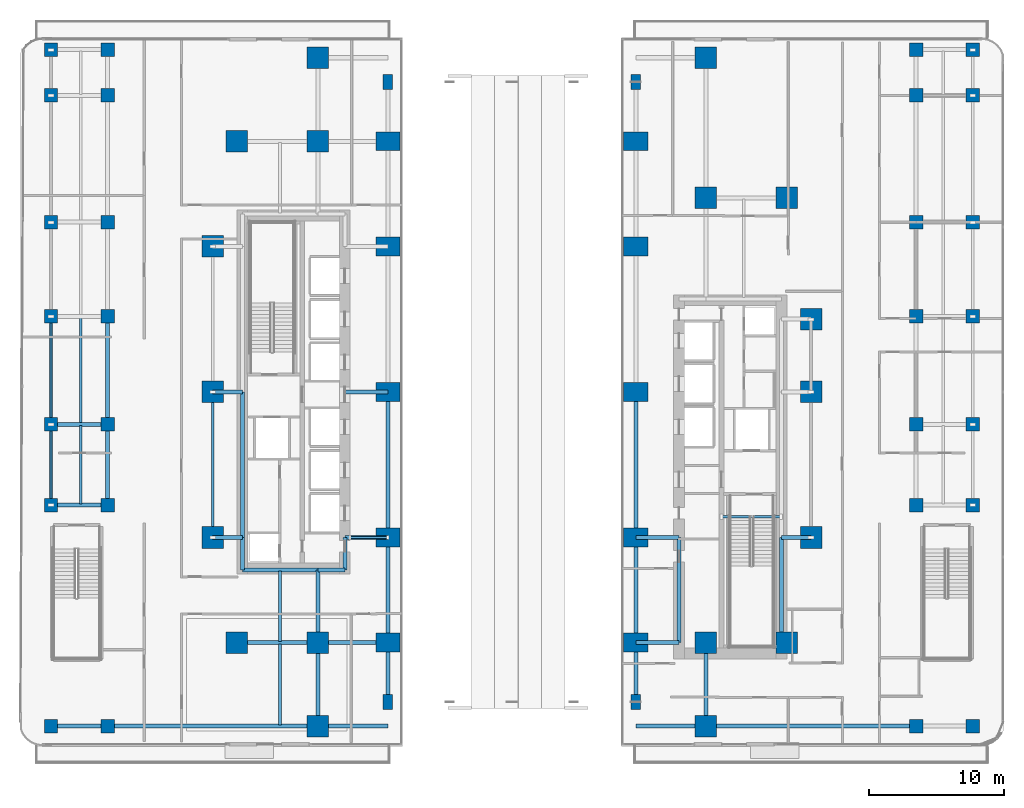
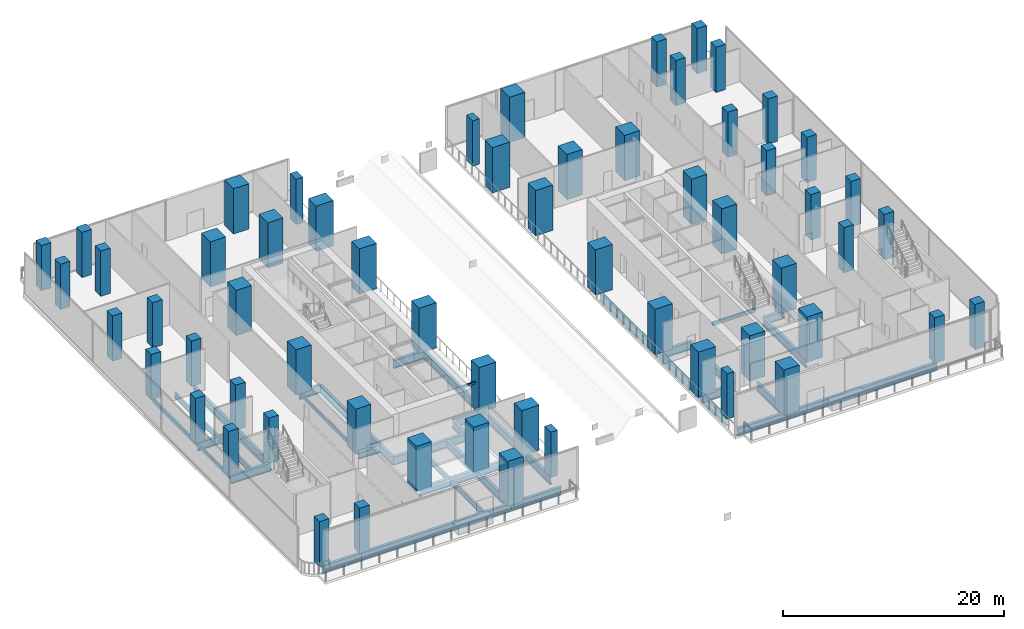
# One storey, part 1 of 32: 60 columns, 43 beams.
"""IFC4 building model written with IfcOpenShell, lengths in metres."""

from ifc_helpers import new_model, si_unit, direction, frame, origin, origin_2d, place, context, subcontext, project, spatial, rectangle, hollow_rectangle, i_section, extrude, material, material_profile, profile_set, type_object, element, save


model = new_model("IFC4")

# Units and contexts
model_context = context("Model", 3, precision=1e-05, world=origin(), true_north=direction((0.0, 1.0)))
body_context = subcontext(model_context, "Body", "Model", "MODEL_VIEW")
ifc_project = project(units=[si_unit("LENGTHUNIT", "METRE"), si_unit("AREAUNIT", "SQUARE_METRE"), si_unit("VOLUMEUNIT", "CUBIC_METRE"), si_unit("PLANEANGLEUNIT", "RADIAN"), si_unit("MASSUNIT", "GRAM", prefix="KILO")], contexts=[model_context])

# Site, building, storey
site_placement = place(None, origin())
site = spatial("IfcSite", under=ifc_project, at=site_placement, CompositionType="ELEMENT")
building_placement = place(site_placement, origin())
building = spatial("IfcBuilding", under=site, at=building_placement, Name="Khairoan Windgate Tower", CompositionType="ELEMENT")
storey_placement = place(building_placement, frame((0.0, 0.0, 16.0)))
storey = spatial("IfcBuildingStorey", under=building, at=storey_placement, Name="L04", CompositionType="ELEMENT", Elevation=16.0)

# Columns
ifc_material_1 = material(Name="Concrete C60/75", Category="concrete")
ifc_material_profile_1 = material_profile(ifc_material_1, rectangle(XDim=0.699951171875, YDim=1.10009765625, at=origin_2d()))
ifc_profile_set_1 = profile_set([ifc_material_profile_1], Name="Concrete C60/75")
column_type_1 = type_object("IfcColumnType", Name="Arch Pilaster CP1 RC700x1100", PredefinedType="PILASTER", material=ifc_profile_set_1)
for number, where, z_axis, x_axis, name in (
    (1, (-9.199951171875, -23.0, 0.0), (0.0, 0.0, 1.0), (1.0, 0.0, 0.0), "Inner Arch Pier Pilaster L04-01"),
    (2, (-9.199951171875, 23.0, 0.0), (0.0, 0.0, 1.0), (1.0, 0.0, 0.0), "Inner Arch Pier Pilaster L04-02"),
    (3, (9.199951171875, -23.0, 0.0), (0.0, 0.0, 1.0), (1.0, 0.0, 0.0), "Inner Arch Pier Pilaster L04-03"),
    (4, (9.199951171875, 23.0, 0.0), (0.0, 0.0, 1.0), (1.0, 0.0, 0.0), "Inner Arch Pier Pilaster L04-04"),
):
    element("IfcColumn", number, at=place(storey_placement, frame(where, z_axis=z_axis, x_axis=x_axis)), inside=storey, type_object=column_type_1, Name=name, PredefinedType="PILASTER", context=body_context, shape_type="SweptSolid", body=[
        extrude(rectangle(XDim=0.699951171875, YDim=1.10009765625, at=origin_2d()), origin(), (0.0, 0.0, 1.0), 5.0),
    ])
ifc_material_2 = material(Name="Concrete C70/85", Category="concrete")
ifc_material_profile_2 = material_profile(ifc_material_2, rectangle(XDim=1.800048828125, YDim=1.39990234375, at=origin_2d()))
ifc_profile_set_2 = profile_set([ifc_material_profile_2], Name="Concrete C70/85")
column_type_2 = type_object("IfcColumnType", Name="Column C-AP1 RC1800x1400", PredefinedType="COLUMN", material=ifc_profile_set_2)
for number, where, z_axis, x_axis, name in (
    (5, (-9.199951171875, -18.60009765625, 0.0), (0.0, 0.0, 1.0), (1.0, 0.0, 0.0), "Column L04-01"),
    (6, (-9.199951171875, -10.800048828125, 0.0), (0.0, 0.0, 1.0), (1.0, 0.0, 0.0), "Column L04-02"),
    (7, (-9.199951171875, 0.0, 0.0), (0.0, 0.0, 1.0), (1.0, 0.0, 0.0), "Column L04-03"),
    (8, (-9.199951171875, 10.800048828125, 0.0), (0.0, 0.0, 1.0), (1.0, 0.0, 0.0), "Column L04-04"),
    (9, (-9.199951171875, 18.60009765625, 0.0), (0.0, 0.0, 1.0), (1.0, 0.0, 0.0), "Column L04-05"),
    (10, (9.199951171875, -18.60009765625, 0.0), (0.0, 0.0, 1.0), (1.0, 0.0, 0.0), "Column L04-06"),
    (11, (9.199951171875, -10.800048828125, 0.0), (0.0, 0.0, 1.0), (1.0, 0.0, 0.0), "Column L04-07"),
    (12, (9.199951171875, 0.0, 0.0), (0.0, 0.0, 1.0), (1.0, 0.0, 0.0), "Column L04-08"),
    (13, (9.199951171875, 10.800048828125, 0.0), (0.0, 0.0, 1.0), (1.0, 0.0, 0.0), "Column L04-09"),
    (14, (9.199951171875, 18.60009765625, 0.0), (0.0, 0.0, 1.0), (1.0, 0.0, 0.0), "Column L04-10"),
):
    element("IfcColumn", number, at=place(storey_placement, frame(where, z_axis=z_axis, x_axis=x_axis)), inside=storey, type_object=column_type_2, Name=name, PredefinedType="COLUMN", context=body_context, shape_type="SweptSolid", body=[
        extrude(rectangle(XDim=1.800048828125, YDim=1.39990234375, at=origin_2d()), origin(), (0.0, 0.0, 1.0), 5.0),
    ])
ifc_material_3 = material(Name="Concrete C70/85", Category="concrete")
ifc_material_profile_3 = material_profile(ifc_material_3, rectangle(XDim=1.60009765625, YDim=1.60009765625, at=origin_2d()))
ifc_profile_set_3 = profile_set([ifc_material_profile_3], Name="Concrete C70/85")
column_type_3 = type_object("IfcColumnType", Name="Column C-T1 RC1600x1600", PredefinedType="COLUMN", material=ifc_profile_set_3)
for number, where, z_axis, x_axis, name in (
    (15, (-20.39990234375, -18.60009765625, 0.0), (0.0, 0.0, 1.0), (1.0, 0.0, 0.0), "Column L04-11"),
    (16, (-20.39990234375, 18.60009765625, 0.0), (0.0, 0.0, 1.0), (1.0, 0.0, 0.0), "Column L04-12"),
    (17, (20.39990234375, -18.60009765625, 0.0), (0.0, 0.0, 1.0), (1.0, 0.0, 0.0), "Column L04-13"),
    (18, (20.39990234375, 14.39990234375, 0.0), (0.0, 0.0, 1.0), (1.0, 0.0, 0.0), "Column L04-14"),
    (19, (-14.39990234375, -18.60009765625, 0.0), (0.0, 0.0, 1.0), (1.0, 0.0, 0.0), "Column L04-15"),
    (20, (-14.39990234375, 18.60009765625, 0.0), (0.0, 0.0, 1.0), (1.0, 0.0, 0.0), "Column L04-16"),
    (21, (14.39990234375, -18.60009765625, 0.0), (0.0, 0.0, 1.0), (1.0, 0.0, 0.0), "Column L04-17"),
    (22, (14.39990234375, 14.39990234375, 0.0), (0.0, 0.0, 1.0), (1.0, 0.0, 0.0), "Column L04-18"),
    (23, (-22.199951171875, -10.800048828125, 0.0), (0.0, 0.0, 1.0), (1.0, 0.0, 0.0), "Column L04-57"),
    (24, (-22.199951171875, 0.0, 0.0), (0.0, 0.0, 1.0), (1.0, 0.0, 0.0), "Column L04-58"),
    (25, (-22.199951171875, 10.800048828125, 0.0), (0.0, 0.0, 1.0), (1.0, 0.0, 0.0), "Column L04-59"),
    (26, (22.199951171875, -10.800048828125, 0.0), (0.0, 0.0, 1.0), (1.0, 0.0, 0.0), "Column L04-60"),
    (27, (22.199951171875, 0.0, 0.0), (0.0, 0.0, 1.0), (1.0, 0.0, 0.0), "Column L04-61"),
    (28, (22.199951171875, 5.39990234375, 0.0), (0.0, 0.0, 1.0), (1.0, 0.0, 0.0), "Column L04-62"),
    (29, (-14.39990234375, -24.800048828125, 0.0), (0.0, 0.0, 1.0), (1.0, 0.0, 0.0), "Column L04-63"),
    (30, (-14.39990234375, 24.800048828125, 0.0), (0.0, 0.0, 1.0), (1.0, 0.0, 0.0), "Column L04-64"),
    (31, (14.39990234375, -24.800048828125, 0.0), (0.0, 0.0, 1.0), (1.0, 0.0, 0.0), "Column L04-65"),
    (32, (14.39990234375, 24.800048828125, 0.0), (0.0, 0.0, 1.0), (1.0, 0.0, 0.0), "Column L04-66"),
):
    element("IfcColumn", number, at=place(storey_placement, frame(where, z_axis=z_axis, x_axis=x_axis)), inside=storey, type_object=column_type_3, Name=name, PredefinedType="COLUMN", context=body_context, shape_type="SweptSolid", body=[
        extrude(rectangle(XDim=1.60009765625, YDim=1.60009765625, at=origin_2d()), origin(), (0.0, 0.0, 1.0), 5.0),
    ])
ifc_material_4 = material(Name="Concrete C50/60", Category="concrete")
ifc_material_profile_4 = material_profile(ifc_material_4, rectangle(XDim=1.0, YDim=1.0, at=origin_2d()))
ifc_profile_set_4 = profile_set([ifc_material_profile_4], Name="Concrete C50/60")
column_type_4 = type_object("IfcColumnType", Name="Column C-T4 RC1000x1000", PredefinedType="COLUMN", material=ifc_profile_set_4)
for number, where, z_axis, x_axis, name in (
    (33, (-34.199951171875, -24.800048828125, 0.0), (0.0, 0.0, 1.0), (1.0, 0.0, 0.0), "Column L04-25"),
    (34, (-34.199951171875, -8.39990234375, 0.0), (0.0, 0.0, 1.0), (1.0, 0.0, 0.0), "Column L04-27"),
    (35, (-34.199951171875, -2.39990234375, 0.0), (0.0, 0.0, 1.0), (1.0, 0.0, 0.0), "Column L04-28"),
    (36, (-34.199951171875, 5.60009765625, 0.0), (0.0, 0.0, 1.0), (1.0, 0.0, 0.0), "Column L04-29"),
    (37, (-34.199951171875, 12.60009765625, 0.0), (0.0, 0.0, 1.0), (1.0, 0.0, 0.0), "Column L04-30"),
    (38, (-34.199951171875, 22.0, 0.0), (0.0, 0.0, 1.0), (1.0, 0.0, 0.0), "Column L04-31"),
    (39, (-34.199951171875, 25.39990234375, 0.0), (0.0, 0.0, 1.0), (1.0, 0.0, 0.0), "Column L04-32"),
    (40, (-30.0, -24.800048828125, 0.0), (0.0, 0.0, 1.0), (1.0, 0.0, 0.0), "Column L04-33"),
    (41, (-30.0, -8.39990234375, 0.0), (0.0, 0.0, 1.0), (1.0, 0.0, 0.0), "Column L04-35"),
    (42, (-30.0, -2.39990234375, 0.0), (0.0, 0.0, 1.0), (1.0, 0.0, 0.0), "Column L04-36"),
    (43, (-30.0, 5.60009765625, 0.0), (0.0, 0.0, 1.0), (1.0, 0.0, 0.0), "Column L04-37"),
    (44, (-30.0, 12.60009765625, 0.0), (0.0, 0.0, 1.0), (1.0, 0.0, 0.0), "Column L04-38"),
    (45, (-30.0, 22.0, 0.0), (0.0, 0.0, 1.0), (1.0, 0.0, 0.0), "Column L04-39"),
    (46, (-30.0, 25.39990234375, 0.0), (0.0, 0.0, 1.0), (1.0, 0.0, 0.0), "Column L04-40"),
    (47, (30.0, -24.800048828125, 0.0), (0.0, 0.0, 1.0), (1.0, 0.0, 0.0), "Column L04-41"),
    (48, (30.0, -8.39990234375, 0.0), (0.0, 0.0, 1.0), (1.0, 0.0, 0.0), "Column L04-43"),
    (49, (30.0, -2.39990234375, 0.0), (0.0, 0.0, 1.0), (1.0, 0.0, 0.0), "Column L04-44"),
    (50, (30.0, 5.60009765625, 0.0), (0.0, 0.0, 1.0), (1.0, 0.0, 0.0), "Column L04-45"),
    (51, (30.0, 12.60009765625, 0.0), (0.0, 0.0, 1.0), (1.0, 0.0, 0.0), "Column L04-46"),
    (52, (30.0, 22.0, 0.0), (0.0, 0.0, 1.0), (1.0, 0.0, 0.0), "Column L04-47"),
    (53, (30.0, 25.39990234375, 0.0), (0.0, 0.0, 1.0), (1.0, 0.0, 0.0), "Column L04-48"),
    (54, (34.199951171875, -24.800048828125, 0.0), (0.0, 0.0, 1.0), (1.0, 0.0, 0.0), "Column L04-49"),
    (55, (34.199951171875, -8.39990234375, 0.0), (0.0, 0.0, 1.0), (1.0, 0.0, 0.0), "Column L04-51"),
    (56, (34.199951171875, -2.39990234375, 0.0), (0.0, 0.0, 1.0), (1.0, 0.0, 0.0), "Column L04-52"),
    (57, (34.199951171875, 5.60009765625, 0.0), (0.0, 0.0, 1.0), (1.0, 0.0, 0.0), "Column L04-53"),
    (58, (34.199951171875, 12.60009765625, 0.0), (0.0, 0.0, 1.0), (1.0, 0.0, 0.0), "Column L04-54"),
    (59, (34.199951171875, 22.0, 0.0), (0.0, 0.0, 1.0), (1.0, 0.0, 0.0), "Column L04-55"),
    (60, (34.199951171875, 25.39990234375, 0.0), (0.0, 0.0, 1.0), (1.0, 0.0, 0.0), "Column L04-56"),
):
    element("IfcColumn", number, at=place(storey_placement, frame(where, z_axis=z_axis, x_axis=x_axis)), inside=storey, type_object=column_type_4, Name=name, PredefinedType="COLUMN", context=body_context, shape_type="SweptSolid", body=[
        extrude(rectangle(XDim=1.0, YDim=1.0, at=origin_2d()), origin(), (0.0, 0.0, 1.0), 5.0),
    ])

# Beams
ifc_material_5 = material(Name="Steel S355", Category="steel")
ifc_material_profile_5 = material_profile(ifc_material_5, i_section(OverallWidth=0.300048828125, OverallDepth=0.89990234375, WebThickness=0.01611328125, FlangeThickness=0.028076171875, FilletRadius=0.028076171875, at=origin_2d()))
ifc_profile_set_5 = profile_set([ifc_material_profile_5], Name="Steel S355")
beam_type_1 = type_object("IfcBeamType", Name="Beam B-G1 H900x300x16x28", PredefinedType="BEAM", material=ifc_profile_set_5)
beam_1_placement = place(storey_placement, frame((-34.199951171875, -24.800048828125, -0.75), z_axis=(1.0, 0.0, 0.0), x_axis=(0.0, 1.0, 0.0)))
element("IfcBeam", 61, at=beam_1_placement, inside=storey, type_object=beam_type_1, Name="L04 E-W Primary Girder 01", PredefinedType="BEAM", context=body_context, shape_type="SweptSolid", body=[
    extrude(i_section(OverallWidth=0.300048828125, OverallDepth=0.89990234375, WebThickness=0.01611328125, FlangeThickness=0.028076171875, FilletRadius=0.028076171875, at=origin_2d()), origin(), (0.0, 0.0, 1.0), 4.199951171875),
])
beam_2_placement = place(storey_placement, frame((-30.0, -24.800048828125, -0.75), z_axis=(1.0, 0.0, 0.0), x_axis=(0.0, 1.0, 0.0)))
element("IfcBeam", 62, at=beam_2_placement, inside=storey, type_object=beam_type_1, Name="L04 E-W Primary Girder 02", PredefinedType="BEAM", context=body_context, shape_type="SweptSolid", body=[
    extrude(i_section(OverallWidth=0.300048828125, OverallDepth=0.89990234375, WebThickness=0.01611328125, FlangeThickness=0.028076171875, FilletRadius=0.028076171875, at=origin_2d()), origin(), (0.0, 0.0, 1.0), 15.60009765625),
])
for number, where, z_axis, x_axis, name in (
    (63, (-14.39990234375, -24.800048828125, -0.75), (1.0, 0.0, 0.0), (0.0, 1.0, 0.0), "L04 E-W Primary Girder 03"),
    (64, (9.199951171875, -24.800048828125, -0.75), (1.0, 0.0, 0.0), (0.0, 1.0, 0.0), "L04 E-W Primary Girder 04"),
):
    element("IfcBeam", number, at=place(storey_placement, frame(where, z_axis=z_axis, x_axis=x_axis)), inside=storey, type_object=beam_type_1, Name=name, PredefinedType="BEAM", context=body_context, shape_type="SweptSolid", body=[
        extrude(i_section(OverallWidth=0.300048828125, OverallDepth=0.89990234375, WebThickness=0.01611328125, FlangeThickness=0.028076171875, FilletRadius=0.028076171875, at=origin_2d()), origin(), (0.0, 0.0, 1.0), 5.199951171875),
    ])
beam_3_placement = place(storey_placement, frame((14.39990234375, -24.800048828125, -0.75), z_axis=(1.0, 0.0, 0.0), x_axis=(0.0, 1.0, 0.0)))
element("IfcBeam", 65, at=beam_3_placement, inside=storey, type_object=beam_type_1, Name="L04 E-W Primary Girder 05", PredefinedType="BEAM", context=body_context, shape_type="SweptSolid", body=[
    extrude(i_section(OverallWidth=0.300048828125, OverallDepth=0.89990234375, WebThickness=0.01611328125, FlangeThickness=0.028076171875, FilletRadius=0.028076171875, at=origin_2d()), origin(), (0.0, 0.0, 1.0), 15.60009765625),
])
beam_4_placement = place(storey_placement, frame((-20.39990234375, -18.60009765625, -0.75), z_axis=(1.0, 0.0, 0.0), x_axis=(0.0, 1.0, 0.0)))
element("IfcBeam", 66, at=beam_4_placement, inside=storey, type_object=beam_type_1, Name="L04 E-W Primary Girder 07", PredefinedType="BEAM", context=body_context, shape_type="SweptSolid", body=[
    extrude(i_section(OverallWidth=0.300048828125, OverallDepth=0.89990234375, WebThickness=0.01611328125, FlangeThickness=0.028076171875, FilletRadius=0.028076171875, at=origin_2d()), origin(), (0.0, 0.0, 1.0), 6.0),
])
beam_5_placement = place(storey_placement, frame((-14.39990234375, -18.60009765625, -0.75), z_axis=(1.0, 0.0, 0.0), x_axis=(0.0, 1.0, 0.0)))
element("IfcBeam", 67, at=beam_5_placement, inside=storey, type_object=beam_type_1, Name="L04 E-W Primary Girder 08", PredefinedType="BEAM", context=body_context, shape_type="SweptSolid", body=[
    extrude(i_section(OverallWidth=0.300048828125, OverallDepth=0.89990234375, WebThickness=0.01611328125, FlangeThickness=0.028076171875, FilletRadius=0.028076171875, at=origin_2d()), origin(), (0.0, 0.0, 1.0), 5.199951171875),
])
beam_6_placement = place(storey_placement, frame((9.199951171875, -18.60009765625, -0.75), z_axis=(1.0, 0.0, 0.0), x_axis=(0.0, 1.0, 0.0)))
element("IfcBeam", 68, at=beam_6_placement, inside=storey, type_object=beam_type_1, Name="L04 E-W Primary Girder 09", PredefinedType="BEAM", context=body_context, shape_type="SweptSolid", body=[
    extrude(i_section(OverallWidth=0.300048828125, OverallDepth=0.89990234375, WebThickness=0.01611328125, FlangeThickness=0.028076171875, FilletRadius=0.028076171875, at=origin_2d()), origin(), (0.0, 0.0, 1.0), 3.199951171875),
])
beam_7_placement = place(storey_placement, frame((-20.0, -13.199951171875, -0.75), z_axis=(1.0, 0.0, 0.0), x_axis=(0.0, 1.0, 0.0)))
element("IfcBeam", 69, at=beam_7_placement, inside=storey, type_object=beam_type_1, Name="L04 E-W Primary Girder 10", PredefinedType="BEAM", context=body_context, shape_type="SweptSolid", body=[
    extrude(i_section(OverallWidth=0.300048828125, OverallDepth=0.89990234375, WebThickness=0.01611328125, FlangeThickness=0.028076171875, FilletRadius=0.028076171875, at=origin_2d()), origin(), (0.0, 0.0, 1.0), 5.60009765625),
])
beam_8_placement = place(storey_placement, frame((-14.39990234375, -13.199951171875, -0.75), z_axis=(1.0, 0.0, 0.0), x_axis=(0.0, 1.0, 0.0)))
element("IfcBeam", 70, at=beam_8_placement, inside=storey, type_object=beam_type_1, Name="L04 E-W Primary Girder 11", PredefinedType="BEAM", context=body_context, shape_type="SweptSolid", body=[
    extrude(i_section(OverallWidth=0.300048828125, OverallDepth=0.89990234375, WebThickness=0.01611328125, FlangeThickness=0.028076171875, FilletRadius=0.028076171875, at=origin_2d()), origin(), (0.0, 0.0, 1.0), 2.0),
])
beam_9_placement = place(storey_placement, frame((-22.199951171875, -10.800048828125, -0.75), z_axis=(1.0, 0.0, 0.0), x_axis=(0.0, 1.0, 0.0)))
element("IfcBeam", 71, at=beam_9_placement, inside=storey, type_object=beam_type_1, Name="L04 E-W Primary Girder 12", PredefinedType="BEAM", context=body_context, shape_type="SweptSolid", body=[
    extrude(i_section(OverallWidth=0.300048828125, OverallDepth=0.89990234375, WebThickness=0.01611328125, FlangeThickness=0.028076171875, FilletRadius=0.028076171875, at=origin_2d()), origin(), (0.0, 0.0, 1.0), 2.199951171875),
])
for number, where, z_axis, x_axis, name in (
    (72, (-12.39990234375, -10.800048828125, -0.75), (1.0, 0.0, 0.0), (0.0, 1.0, 0.0), "L04 E-W Primary Girder 13"),
    (73, (9.199951171875, -10.800048828125, -0.75), (1.0, 0.0, 0.0), (0.0, 1.0, 0.0), "L04 E-W Primary Girder 14"),
):
    element("IfcBeam", number, at=place(storey_placement, frame(where, z_axis=z_axis, x_axis=x_axis)), inside=storey, type_object=beam_type_1, Name=name, PredefinedType="BEAM", context=body_context, shape_type="SweptSolid", body=[
        extrude(i_section(OverallWidth=0.300048828125, OverallDepth=0.89990234375, WebThickness=0.01611328125, FlangeThickness=0.028076171875, FilletRadius=0.028076171875, at=origin_2d()), origin(), (0.0, 0.0, 1.0), 3.199951171875),
    ])
beam_10_placement = place(storey_placement, frame((20.0, -10.800048828125, -0.75), z_axis=(1.0, 0.0, 0.0), x_axis=(0.0, 1.0, 0.0)))
element("IfcBeam", 74, at=beam_10_placement, inside=storey, type_object=beam_type_1, Name="L04 E-W Primary Girder 15", PredefinedType="BEAM", context=body_context, shape_type="SweptSolid", body=[
    extrude(i_section(OverallWidth=0.300048828125, OverallDepth=0.89990234375, WebThickness=0.01611328125, FlangeThickness=0.028076171875, FilletRadius=0.028076171875, at=origin_2d()), origin(), (0.0, 0.0, 1.0), 2.199951171875),
])
for number, where, z_axis, x_axis, name in (
    (75, (-34.199951171875, -8.39990234375, -0.75), (1.0, 0.0, 0.0), (0.0, 1.0, 0.0), "L04 E-W Primary Girder 16"),
    (76, (-34.199951171875, -2.39990234375, -0.75), (1.0, 0.0, 0.0), (0.0, 1.0, 0.0), "L04 E-W Primary Girder 18"),
):
    element("IfcBeam", number, at=place(storey_placement, frame(where, z_axis=z_axis, x_axis=x_axis)), inside=storey, type_object=beam_type_1, Name=name, PredefinedType="BEAM", context=body_context, shape_type="SweptSolid", body=[
        extrude(i_section(OverallWidth=0.300048828125, OverallDepth=0.89990234375, WebThickness=0.01611328125, FlangeThickness=0.028076171875, FilletRadius=0.028076171875, at=origin_2d()), origin(), (0.0, 0.0, 1.0), 4.199951171875),
    ])
beam_11_placement = place(storey_placement, frame((-22.199951171875, 0.0, -0.75), z_axis=(1.0, 0.0, 0.0), x_axis=(0.0, 1.0, 0.0)))
element("IfcBeam", 77, at=beam_11_placement, inside=storey, type_object=beam_type_1, Name="L04 E-W Primary Girder 20", PredefinedType="BEAM", context=body_context, shape_type="SweptSolid", body=[
    extrude(i_section(OverallWidth=0.300048828125, OverallDepth=0.89990234375, WebThickness=0.01611328125, FlangeThickness=0.028076171875, FilletRadius=0.028076171875, at=origin_2d()), origin(), (0.0, 0.0, 1.0), 2.199951171875),
])
beam_12_placement = place(storey_placement, frame((-12.39990234375, 0.0, -0.75), z_axis=(1.0, 0.0, 0.0), x_axis=(0.0, 1.0, 0.0)))
element("IfcBeam", 78, at=beam_12_placement, inside=storey, type_object=beam_type_1, Name="L04 E-W Primary Girder 21", PredefinedType="BEAM", context=body_context, shape_type="SweptSolid", body=[
    extrude(i_section(OverallWidth=0.300048828125, OverallDepth=0.89990234375, WebThickness=0.01611328125, FlangeThickness=0.028076171875, FilletRadius=0.028076171875, at=origin_2d()), origin(), (0.0, 0.0, 1.0), 3.199951171875),
])
beam_13_placement = place(storey_placement, frame((-30.0, -8.39990234375, -0.75), z_axis=(0.0, 1.0, 0.0), x_axis=(-1.0, 0.0, 0.0)))
element("IfcBeam", 79, at=beam_13_placement, inside=storey, type_object=beam_type_1, Name="L04 N-S Primary Beam 48", PredefinedType="BEAM", context=body_context, shape_type="SweptSolid", body=[
    extrude(i_section(OverallWidth=0.300048828125, OverallDepth=0.89990234375, WebThickness=0.01611328125, FlangeThickness=0.028076171875, FilletRadius=0.028076171875, at=origin_2d()), origin(), (0.0, 0.0, 1.0), 6.0),
])
beam_14_placement = place(storey_placement, frame((-30.0, -2.39990234375, -0.75), z_axis=(0.0, 1.0, 0.0), x_axis=(-1.0, 0.0, 0.0)))
element("IfcBeam", 80, at=beam_14_placement, inside=storey, type_object=beam_type_1, Name="L04 N-S Primary Beam 49", PredefinedType="BEAM", context=body_context, shape_type="SweptSolid", body=[
    extrude(i_section(OverallWidth=0.300048828125, OverallDepth=0.89990234375, WebThickness=0.01611328125, FlangeThickness=0.028076171875, FilletRadius=0.028076171875, at=origin_2d()), origin(), (0.0, 0.0, 1.0), 8.0),
])
beam_15_placement = place(storey_placement, frame((-20.0, -13.199951171875, -0.75), z_axis=(0.0, 1.0, 0.0), x_axis=(-1.0, 0.0, 0.0)))
element("IfcBeam", 81, at=beam_15_placement, inside=storey, type_object=beam_type_1, Name="L04 N-S Primary Beam 55", PredefinedType="BEAM", context=body_context, shape_type="SweptSolid", body=[
    extrude(i_section(OverallWidth=0.300048828125, OverallDepth=0.89990234375, WebThickness=0.01611328125, FlangeThickness=0.028076171875, FilletRadius=0.028076171875, at=origin_2d()), origin(), (0.0, 0.0, 1.0), 2.39990234375),
])
beam_16_placement = place(storey_placement, frame((-20.0, -10.800048828125, -0.75), z_axis=(0.0, 1.0, 0.0), x_axis=(-1.0, 0.0, 0.0)))
element("IfcBeam", 82, at=beam_16_placement, inside=storey, type_object=beam_type_1, Name="L04 N-S Primary Beam 56", PredefinedType="BEAM", context=body_context, shape_type="SweptSolid", body=[
    extrude(i_section(OverallWidth=0.300048828125, OverallDepth=0.89990234375, WebThickness=0.01611328125, FlangeThickness=0.028076171875, FilletRadius=0.028076171875, at=origin_2d()), origin(), (0.0, 0.0, 1.0), 10.800048828125),
])
beam_17_placement = place(storey_placement, frame((-14.39990234375, -24.800048828125, -0.75), z_axis=(0.0, 1.0, 0.0), x_axis=(-1.0, 0.0, 0.0)))
element("IfcBeam", 83, at=beam_17_placement, inside=storey, type_object=beam_type_1, Name="L04 N-S Primary Beam 59", PredefinedType="BEAM", context=body_context, shape_type="SweptSolid", body=[
    extrude(i_section(OverallWidth=0.300048828125, OverallDepth=0.89990234375, WebThickness=0.01611328125, FlangeThickness=0.028076171875, FilletRadius=0.028076171875, at=origin_2d()), origin(), (0.0, 0.0, 1.0), 6.199951171875),
])
beam_18_placement = place(storey_placement, frame((-14.39990234375, -18.60009765625, -0.75), z_axis=(0.0, 1.0, 0.0), x_axis=(-1.0, 0.0, 0.0)))
element("IfcBeam", 84, at=beam_18_placement, inside=storey, type_object=beam_type_1, Name="L04 N-S Primary Beam 60", PredefinedType="BEAM", context=body_context, shape_type="SweptSolid", body=[
    extrude(i_section(OverallWidth=0.300048828125, OverallDepth=0.89990234375, WebThickness=0.01611328125, FlangeThickness=0.028076171875, FilletRadius=0.028076171875, at=origin_2d()), origin(), (0.0, 0.0, 1.0), 5.400146484375),
])
beam_19_placement = place(storey_placement, frame((-12.39990234375, -13.199951171875, -0.75), z_axis=(0.0, 1.0, 0.0), x_axis=(-1.0, 0.0, 0.0)))
element("IfcBeam", 85, at=beam_19_placement, inside=storey, type_object=beam_type_1, Name="L04 N-S Primary Beam 63", PredefinedType="BEAM", context=body_context, shape_type="SweptSolid", body=[
    extrude(i_section(OverallWidth=0.300048828125, OverallDepth=0.89990234375, WebThickness=0.01611328125, FlangeThickness=0.028076171875, FilletRadius=0.028076171875, at=origin_2d()), origin(), (0.0, 0.0, 1.0), 2.39990234375),
])
beam_20_placement = place(storey_placement, frame((-9.199951171875, -23.0, -0.75), z_axis=(0.0, 1.0, 0.0), x_axis=(-1.0, 0.0, 0.0)))
element("IfcBeam", 86, at=beam_20_placement, inside=storey, type_object=beam_type_1, Name="L04 N-S Primary Beam 65", PredefinedType="BEAM", context=body_context, shape_type="SweptSolid", body=[
    extrude(i_section(OverallWidth=0.300048828125, OverallDepth=0.89990234375, WebThickness=0.01611328125, FlangeThickness=0.028076171875, FilletRadius=0.028076171875, at=origin_2d()), origin(), (0.0, 0.0, 1.0), 4.39990234375),
])
beam_21_placement = place(storey_placement, frame((-9.199951171875, -18.60009765625, -0.75), z_axis=(0.0, 1.0, 0.0), x_axis=(-1.0, 0.0, 0.0)))
element("IfcBeam", 87, at=beam_21_placement, inside=storey, type_object=beam_type_1, Name="L04 N-S Primary Beam 66", PredefinedType="BEAM", context=body_context, shape_type="SweptSolid", body=[
    extrude(i_section(OverallWidth=0.300048828125, OverallDepth=0.89990234375, WebThickness=0.01611328125, FlangeThickness=0.028076171875, FilletRadius=0.028076171875, at=origin_2d()), origin(), (0.0, 0.0, 1.0), 7.800048828125),
])
beam_22_placement = place(storey_placement, frame((-9.199951171875, -10.800048828125, -0.75), z_axis=(0.0, 1.0, 0.0), x_axis=(-1.0, 0.0, 0.0)))
element("IfcBeam", 88, at=beam_22_placement, inside=storey, type_object=beam_type_1, Name="L04 N-S Primary Beam 67", PredefinedType="BEAM", context=body_context, shape_type="SweptSolid", body=[
    extrude(i_section(OverallWidth=0.300048828125, OverallDepth=0.89990234375, WebThickness=0.01611328125, FlangeThickness=0.028076171875, FilletRadius=0.028076171875, at=origin_2d()), origin(), (0.0, 0.0, 1.0), 10.800048828125),
])
beam_23_placement = place(storey_placement, frame((9.199951171875, -23.0, -0.75), z_axis=(0.0, 1.0, 0.0), x_axis=(-1.0, 0.0, 0.0)))
element("IfcBeam", 89, at=beam_23_placement, inside=storey, type_object=beam_type_1, Name="L04 N-S Primary Beam 71", PredefinedType="BEAM", context=body_context, shape_type="SweptSolid", body=[
    extrude(i_section(OverallWidth=0.300048828125, OverallDepth=0.89990234375, WebThickness=0.01611328125, FlangeThickness=0.028076171875, FilletRadius=0.028076171875, at=origin_2d()), origin(), (0.0, 0.0, 1.0), 4.39990234375),
])
beam_24_placement = place(storey_placement, frame((9.199951171875, -18.60009765625, -0.75), z_axis=(0.0, 1.0, 0.0), x_axis=(-1.0, 0.0, 0.0)))
element("IfcBeam", 90, at=beam_24_placement, inside=storey, type_object=beam_type_1, Name="L04 N-S Primary Beam 72", PredefinedType="BEAM", context=body_context, shape_type="SweptSolid", body=[
    extrude(i_section(OverallWidth=0.300048828125, OverallDepth=0.89990234375, WebThickness=0.01611328125, FlangeThickness=0.028076171875, FilletRadius=0.028076171875, at=origin_2d()), origin(), (0.0, 0.0, 1.0), 7.800048828125),
])
beam_25_placement = place(storey_placement, frame((9.199951171875, -10.800048828125, -0.75), z_axis=(0.0, 1.0, 0.0), x_axis=(-1.0, 0.0, 0.0)))
element("IfcBeam", 91, at=beam_25_placement, inside=storey, type_object=beam_type_1, Name="L04 N-S Primary Beam 73", PredefinedType="BEAM", context=body_context, shape_type="SweptSolid", body=[
    extrude(i_section(OverallWidth=0.300048828125, OverallDepth=0.89990234375, WebThickness=0.01611328125, FlangeThickness=0.028076171875, FilletRadius=0.028076171875, at=origin_2d()), origin(), (0.0, 0.0, 1.0), 10.800048828125),
])
beam_26_placement = place(storey_placement, frame((12.39990234375, -18.60009765625, -0.75), z_axis=(0.0, 1.0, 0.0), x_axis=(-1.0, 0.0, 0.0)))
element("IfcBeam", 92, at=beam_26_placement, inside=storey, type_object=beam_type_1, Name="L04 N-S Primary Beam 77", PredefinedType="BEAM", context=body_context, shape_type="SweptSolid", body=[
    extrude(i_section(OverallWidth=0.300048828125, OverallDepth=0.89990234375, WebThickness=0.01611328125, FlangeThickness=0.028076171875, FilletRadius=0.028076171875, at=origin_2d()), origin(), (0.0, 0.0, 1.0), 7.800048828125),
])
beam_27_placement = place(storey_placement, frame((14.39990234375, -24.800048828125, -0.75), z_axis=(0.0, 1.0, 0.0), x_axis=(-1.0, 0.0, 0.0)))
element("IfcBeam", 93, at=beam_27_placement, inside=storey, type_object=beam_type_1, Name="L04 N-S Primary Beam 78", PredefinedType="BEAM", context=body_context, shape_type="SweptSolid", body=[
    extrude(i_section(OverallWidth=0.300048828125, OverallDepth=0.89990234375, WebThickness=0.01611328125, FlangeThickness=0.028076171875, FilletRadius=0.028076171875, at=origin_2d()), origin(), (0.0, 0.0, 1.0), 5.400146484375),
])
beam_28_placement = place(storey_placement, frame((20.0, -18.60009765625, -0.75), z_axis=(0.0, 1.0, 0.0), x_axis=(-1.0, 0.0, 0.0)))
element("IfcBeam", 94, at=beam_28_placement, inside=storey, type_object=beam_type_1, Name="L04 N-S Primary Beam 81", PredefinedType="BEAM", context=body_context, shape_type="SweptSolid", body=[
    extrude(i_section(OverallWidth=0.300048828125, OverallDepth=0.89990234375, WebThickness=0.01611328125, FlangeThickness=0.028076171875, FilletRadius=0.028076171875, at=origin_2d()), origin(), (0.0, 0.0, 1.0), 7.800048828125),
])
ifc_material_6 = material(Name="Steel S355", Category="steel")
ifc_material_profile_6 = material_profile(ifc_material_6, i_section(OverallWidth=0.199951171875, OverallDepth=0.60009765625, WebThickness=0.010986328125, FlangeThickness=0.01708984375, FilletRadius=0.02197265625, at=origin_2d()))
ifc_profile_set_6 = profile_set([ifc_material_profile_6], Name="Steel S355")
beam_type_2 = type_object("IfcBeamType", Name="Beam J-S1 H600x200x11x17", PredefinedType="JOIST", material=ifc_profile_set_6)
beam_29_placement = place(storey_placement, frame((-32.0, -8.31005859375, -0.60009765625), z_axis=(0.0, 1.0, 0.0), x_axis=(-1.0, 0.0, 0.0)))
element("IfcBeam", 95, at=beam_29_placement, inside=storey, type_object=beam_type_2, Name="L04 Secondary Floor Joist 01", PredefinedType="JOIST", context=body_context, shape_type="SweptSolid", body=[
    extrude(i_section(OverallWidth=0.199951171875, OverallDepth=0.60009765625, WebThickness=0.010986328125, FlangeThickness=0.01708984375, FilletRadius=0.02197265625, at=origin_2d()), origin(), (0.0, 0.0, 1.0), 5.820068359375),
])
beam_30_placement = place(storey_placement, frame((-32.0, -2.31005859375, -0.60009765625), z_axis=(0.0, 1.0, 0.0), x_axis=(-1.0, 0.0, 0.0)))
element("IfcBeam", 96, at=beam_30_placement, inside=storey, type_object=beam_type_2, Name="L04 Secondary Floor Joist 02", PredefinedType="JOIST", context=body_context, shape_type="SweptSolid", body=[
    extrude(i_section(OverallWidth=0.199951171875, OverallDepth=0.60009765625, WebThickness=0.010986328125, FlangeThickness=0.01708984375, FilletRadius=0.02197265625, at=origin_2d()), origin(), (0.0, 0.0, 1.0), 7.820068359375),
])
beam_31_placement = place(storey_placement, frame((-17.199951171875, -24.7099609375, -0.60009765625), z_axis=(0.0, 1.0, 0.0), x_axis=(-1.0, 0.0, 0.0)))
element("IfcBeam", 97, at=beam_31_placement, inside=storey, type_object=beam_type_2, Name="L04 Secondary Floor Joist 06", PredefinedType="JOIST", context=body_context, shape_type="SweptSolid", body=[
    extrude(i_section(OverallWidth=0.199951171875, OverallDepth=0.60009765625, WebThickness=0.010986328125, FlangeThickness=0.01708984375, FilletRadius=0.02197265625, at=origin_2d()), origin(), (0.0, 0.0, 1.0), 6.02001953125),
])
beam_32_placement = place(storey_placement, frame((-17.199951171875, -18.510009765625, -0.60009765625), z_axis=(0.0, 1.0, 0.0), x_axis=(-1.0, 0.0, 0.0)))
element("IfcBeam", 98, at=beam_32_placement, inside=storey, type_object=beam_type_2, Name="L04 Secondary Floor Joist 07", PredefinedType="JOIST", context=body_context, shape_type="SweptSolid", body=[
    extrude(i_section(OverallWidth=0.199951171875, OverallDepth=0.60009765625, WebThickness=0.010986328125, FlangeThickness=0.01708984375, FilletRadius=0.02197265625, at=origin_2d()), origin(), (0.0, 0.0, 1.0), 5.219970703125),
])
ifc_material_7 = material(Name="Steel S355", Category="steel")
ifc_material_profile_7 = material_profile(ifc_material_7, hollow_rectangle(XDim=0.14990234375, YDim=0.25, WallThickness=0.010009765625, InnerFilletRadius=0.010009765625, OuterFilletRadius=0.02001953125, at=origin_2d()))
ifc_profile_set_7 = profile_set([ifc_material_profile_7], Name="Steel S355")
beam_type_3 = type_object("IfcBeamType", Name="Beam LN-B1 RHS250x150x10", PredefinedType="LINTEL", material=ifc_profile_set_7)
beam_33_placement = place(storey_placement, frame((-12.02001953125, -10.800048828125, 2.949951171875), z_axis=(1.0, 0.0, 0.0), x_axis=(0.0, 1.0, 0.0)))
element("IfcBeam", 99, at=beam_33_placement, inside=storey, type_object=beam_type_3, Name="Core Lobby Opening Lintel L04", PredefinedType="LINTEL", context=body_context, shape_type="SweptSolid", body=[
    extrude(hollow_rectangle(XDim=0.14990234375, YDim=0.25, WallThickness=0.010009765625, InnerFilletRadius=0.010009765625, OuterFilletRadius=0.02001953125, at=origin_2d()), origin(), (0.0, 0.0, 1.0), 2.820068359375),
])
ifc_material_8 = material(Name="Steel S355", Category="steel")
ifc_material_profile_8 = material_profile(ifc_material_8, hollow_rectangle(XDim=0.199951171875, YDim=0.39990234375, WallThickness=0.013916015625, InnerFilletRadius=0.013916015625, OuterFilletRadius=0.028076171875, at=origin_2d()))
ifc_profile_set_8 = profile_set([ifc_material_profile_8], Name="Steel S355")
beam_type_4 = type_object("IfcBeamType", Name="Beam SP-B1 RHS400x200x14", PredefinedType="SPANDREL", material=ifc_profile_set_8)
beam_34_placement = place(storey_placement, frame((-34.199951171875, -8.39990234375, -0.5), z_axis=(0.0, 1.0, 0.0), x_axis=(-1.0, 0.0, 0.0)))
element("IfcBeam", 100, at=beam_34_placement, inside=storey, type_object=beam_type_4, Name="L04 Spandrel Beam 43", PredefinedType="SPANDREL", context=body_context, shape_type="SweptSolid", body=[
    extrude(hollow_rectangle(XDim=0.199951171875, YDim=0.39990234375, WallThickness=0.013916015625, InnerFilletRadius=0.013916015625, OuterFilletRadius=0.028076171875, at=origin_2d()), origin(), (0.0, 0.0, 1.0), 6.0),
])
beam_35_placement = place(storey_placement, frame((-34.199951171875, -2.39990234375, -0.5), z_axis=(0.0, 1.0, 0.0), x_axis=(-1.0, 0.0, 0.0)))
element("IfcBeam", 101, at=beam_35_placement, inside=storey, type_object=beam_type_4, Name="L04 Spandrel Beam 44", PredefinedType="SPANDREL", context=body_context, shape_type="SweptSolid", body=[
    extrude(hollow_rectangle(XDim=0.199951171875, YDim=0.39990234375, WallThickness=0.013916015625, InnerFilletRadius=0.013916015625, OuterFilletRadius=0.028076171875, at=origin_2d()), origin(), (0.0, 0.0, 1.0), 8.0),
])
beam_36_placement = place(storey_placement, frame((-22.199951171875, -10.800048828125, -0.5), z_axis=(0.0, 1.0, 0.0), x_axis=(-1.0, 0.0, 0.0)))
element("IfcBeam", 102, at=beam_36_placement, inside=storey, type_object=beam_type_4, Name="L04 Spandrel Beam 53", PredefinedType="SPANDREL", context=body_context, shape_type="SweptSolid", body=[
    extrude(hollow_rectangle(XDim=0.199951171875, YDim=0.39990234375, WallThickness=0.013916015625, InnerFilletRadius=0.013916015625, OuterFilletRadius=0.028076171875, at=origin_2d()), origin(), (0.0, 0.0, 1.0), 10.800048828125),
])
beam_37_placement = place(storey_placement, frame((15.550048828125, -9.260009765625, -0.5), z_axis=(1.0, 0.0, 0.0), x_axis=(0.0, 1.0, 0.0)))
element("IfcBeam", 103, at=beam_37_placement, inside=storey, type_object=beam_type_4, Name="Stair ST1 Landing Trimmer Beam L04", PredefinedType="SPANDREL", context=body_context, shape_type="SweptSolid", body=[
    extrude(hollow_rectangle(XDim=0.199951171875, YDim=0.39990234375, WallThickness=0.013916015625, InnerFilletRadius=0.013916015625, OuterFilletRadius=0.028076171875, at=origin_2d()), origin(), (0.0, 0.0, 1.0), 4.449951171875),
])

save(model, "model.ifc")
